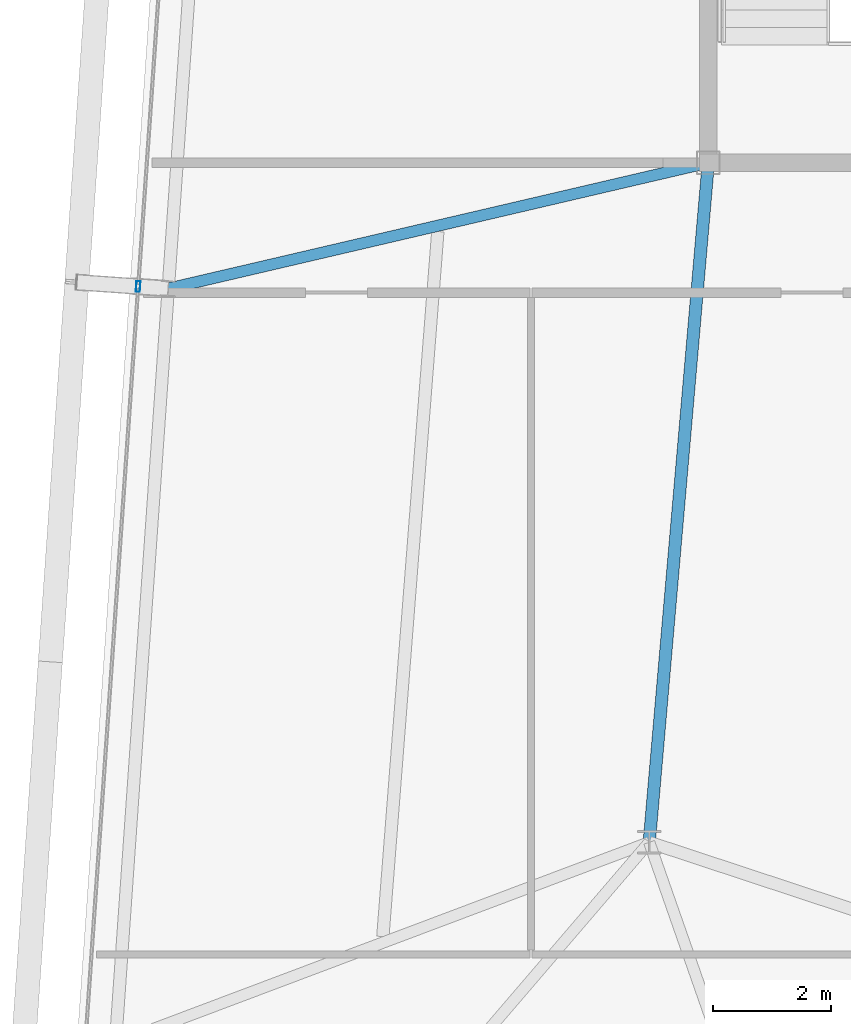
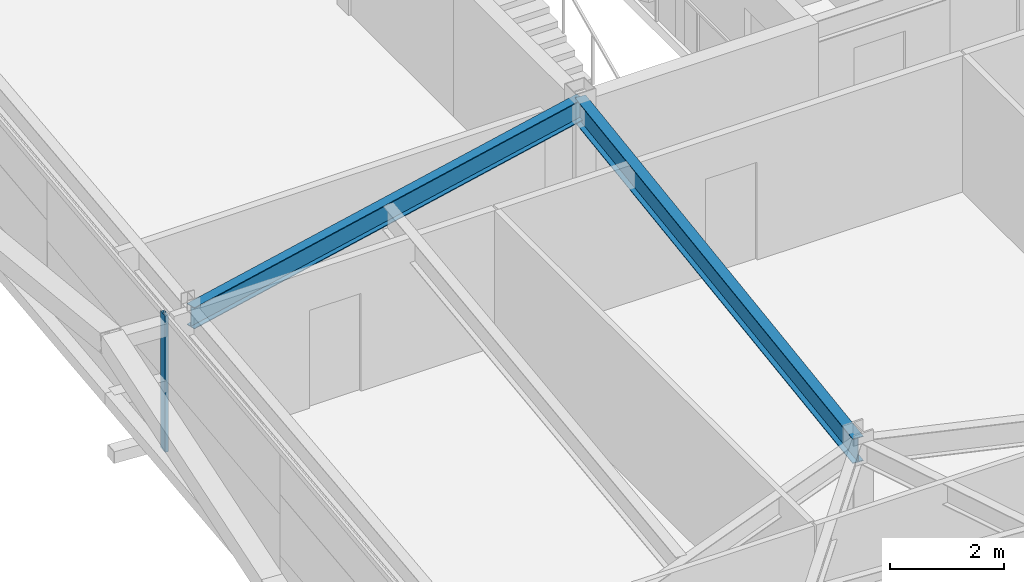
# One storey, part 11 of 39: 2 beams, 1 member, 1 element without a shape of its own.
"""IFC4 building model written with IfcOpenShell, lengths in metres."""

from ifc_helpers import new_model, si_unit, direction, frame, origin, origin_2d, place, context, subcontext, project, spatial, hollow_rectangle, i_section, extrude, source, transform, mapped, material, layer, layer_set, material_profile, profile_set, type_object, element, aggregate, save


model = new_model("IFC4")

# Units and contexts
model_context = context("Model", 3, precision=1e-05, world=origin(), true_north=direction((0.0, 1.0)))
body_context = subcontext(model_context, "Body", "Model", "MODEL_VIEW")
ifc_project = project(units=[si_unit("LENGTHUNIT", "METRE"), si_unit("AREAUNIT", "SQUARE_METRE"), si_unit("VOLUMEUNIT", "CUBIC_METRE"), si_unit("PLANEANGLEUNIT", "RADIAN"), si_unit("MASSUNIT", "GRAM", prefix="KILO")], contexts=[model_context])

# Site, building, storey
site_placement = place(None, origin())
site = spatial("IfcSite", under=ifc_project, at=site_placement, CompositionType="ELEMENT")
building_placement = place(site_placement, origin())
building = spatial("IfcBuilding", under=site, at=building_placement, Name="Taldren Reach Tower", CompositionType="ELEMENT")
storey_placement = place(building_placement, frame((0.0, 0.0, 126.699951171875)))
storey = spatial("IfcBuildingStorey", under=building, at=storey_placement, Name="L38", CompositionType="ELEMENT", Elevation=126.699951171875)

# Beams
ifc_material_1 = material(Name="Steel Gr 350 (350PLUS)", Category="steel")
ifc_material_profile_1 = material_profile(ifc_material_1, i_section(OverallWidth=0.208984375, OverallDepth=0.532958984375, WebThickness=0.01025390625, FlangeThickness=0.015625, at=origin_2d()), Name="530UB92.4")
ifc_profile_set_1 = profile_set([ifc_material_profile_1], Name="Steel Gr 350 (350PLUS)")
beam_type_1 = type_object("IfcBeamType", Name="BM-UB530A", PredefinedType="BEAM", material=ifc_profile_set_1)
shared_shape_1 = source(origin(), body_context, "Body", "SweptSolid", [
    extrude(i_section(OverallWidth=0.208984375, OverallDepth=0.532958984375, WebThickness=0.01025390625, FlangeThickness=0.015625, at=origin_2d()), origin(), (0.0, 0.0, 1.0), 11.54345703125),
])
beam_1_placement = place(storey_placement, frame((19.0, 24.0, 2.66357421875), z_axis=(-0.086629616365, -0.996240588196, 0.0), x_axis=(0.996240588196, -0.086629616365, 0.0)))
element("IfcBeam", 1, at=beam_1_placement, inside=storey, type_object=beam_type_1, Name="Core-spine girder L38-SP09", PredefinedType="BEAM", context=body_context, shape_type="MappedRepresentation", body=[
    mapped(shared_shape_1, transform((0.0, 0.0, 0.0), scale=1.0)),
])
ifc_material_profile_2 = material_profile(ifc_material_1, i_section(OverallWidth=0.19091796875, OverallDepth=0.4599609375, WebThickness=0.010009765625, FlangeThickness=0.01611328125, at=origin_2d()), Name="460UB82.1")
ifc_profile_set_2 = profile_set([ifc_material_profile_2], Name="Steel Gr 350 (350PLUS)")
beam_type_2 = type_object("IfcBeamType", Name="BM-UB460A", PredefinedType="BEAM", material=ifc_profile_set_2)
shared_shape_2 = source(origin(), body_context, "Body", "SweptSolid", [
    extrude(i_section(OverallWidth=0.19091796875, OverallDepth=0.4599609375, WebThickness=0.010009765625, FlangeThickness=0.01611328125, at=origin_2d()), origin(), (0.0, 0.0, 1.0), 9.383544921875),
])
beam_2_placement = place(storey_placement, frame((19.0, 24.0, 2.699951171875), z_axis=(-0.973856560651, -0.227163815951, 0.0), x_axis=(0.227163815951, -0.973856560651, 0.0)))
element("IfcBeam", 2, at=beam_2_placement, inside=storey, type_object=beam_type_2, Name="Primary floor girder B3-W2 L38", PredefinedType="BEAM", context=body_context, shape_type="MappedRepresentation", body=[
    mapped(shared_shape_2, transform((0.0, 0.0, 0.0), scale=1.0)),
])

# Curtain wall, member
ifc_material_2 = material(Name="Aluminium and Low-E Glass Unitised System", Category="aluminium")
ifc_layer = layer(ifc_material_2, 0.159912109375)
ifc_layer_set = layer_set([ifc_layer], Name="Aluminium and Low-E Glass Unitised System")
curtain_wall_type = type_object("IfcCurtainWallType", Name="CW-SYS-4", PredefinedType="NOTDEFINED", material=ifc_layer_set)
curtain_wall_placement = place(storey_placement, origin())
curtain_wall = element("IfcCurtainWall", 3, at=curtain_wall_placement, inside=storey, type_object=curtain_wall_type, Name="Unitised curtain wall CW-L38-W", PredefinedType="NOTDEFINED")
ifc_material_3 = material(Name="Anodised Aluminium 6063-T6", Category="aluminium")
ifc_material_profile_3 = material_profile(ifc_material_3, hollow_rectangle(XDim=0.070068359375, YDim=0.179931640625, WallThickness=0.00390625, at=origin_2d()), Name="ALU-180x70x4RHS")
ifc_profile_set_3 = profile_set([ifc_material_profile_3], Name="Anodised Aluminium 6063-T6")
member_type = type_object("IfcMemberType", Name="CW-MUL-180", PredefinedType="MULLION", material=ifc_profile_set_3)
shared_shape_3 = source(origin(), body_context, "Body", "SweptSolid", [
    extrude(hollow_rectangle(XDim=0.070068359375, YDim=0.179931640625, WallThickness=0.00390625, at=origin_2d()), origin(), (0.0, 0.0, 1.0), 2.929931640625),
])
member_placement = place(storey_placement, frame((9.35302734375, 21.90380859375, 0.0), z_axis=(0.0, 0.0, 1.0), x_axis=(0.997564052812, -0.069756437251, 0.0)))
member = element("IfcMember", 4, at=member_placement, type_object=member_type, Name="CW-4 mullion 2", PredefinedType="MULLION", context=body_context, shape_type="MappedRepresentation", body=[
    mapped(shared_shape_3, transform((0.0, 0.0, 0.0), scale=1.0)),
])
aggregate(curtain_wall, [member])

save(model, "model.ifc")
